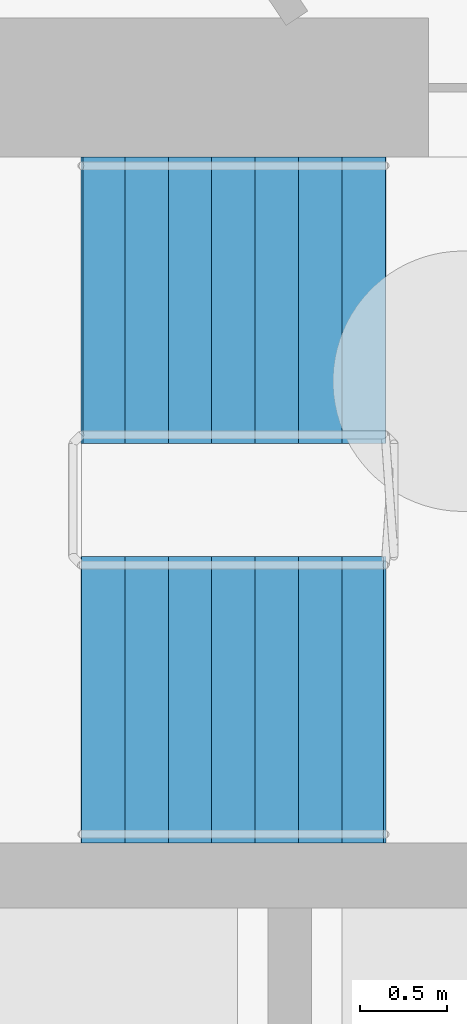
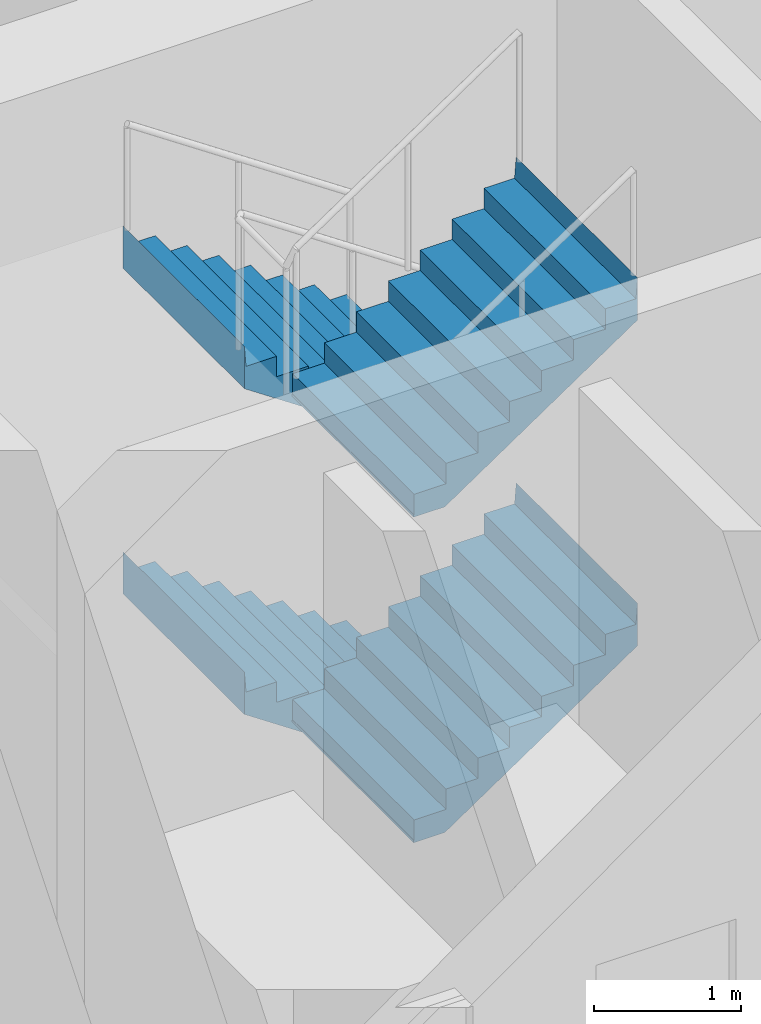
# One storey, part 35 of 41: 4 stair flights, 1 element without a shape of its own.
"""IFC4 building model written with IfcOpenShell, lengths in metres."""

from ifc_helpers import new_model, si_unit, direction, frame, origin, place, context, subcontext, project, spatial, triangles, material, type_object, element, aggregate, save


model = new_model("IFC4")

# Units and contexts
model_context = context("Model", 3, precision=1e-05, world=origin(), true_north=direction((0.0, 1.0)))
body_context = subcontext(model_context, "Body", "Model", "MODEL_VIEW")
ifc_project = project(units=[si_unit("LENGTHUNIT", "METRE"), si_unit("AREAUNIT", "SQUARE_METRE"), si_unit("VOLUMEUNIT", "CUBIC_METRE"), si_unit("PLANEANGLEUNIT", "RADIAN"), si_unit("MASSUNIT", "GRAM", prefix="KILO")], contexts=[model_context])

# Site, building, storey
site_placement = place(None, origin())
site = spatial("IfcSite", under=ifc_project, at=site_placement, CompositionType="ELEMENT")
building_placement = place(site_placement, origin())
building = spatial("IfcBuilding", under=site, at=building_placement, Name="Maasbend Ring Residences", CompositionType="ELEMENT")
storey_placement = place(building_placement, origin())
storey = spatial("IfcBuildingStorey", under=building, at=storey_placement, Name="L00", CompositionType="ELEMENT", Elevation=0.0)

# Stair, stair flights
ifc_material_1 = material(Name="Concrete C40/50", Category="concrete")
stair_type = type_object("IfcStairType", Name="CORE STAIR 32 RISERS", PredefinedType="HALF_TURN_STAIR", material=ifc_material_1)
stair_placement = place(storey_placement, origin())
stair = element("IfcStair", 1, at=stair_placement, inside=storey, type_object=stair_type, Name="L00 Exit stair ST-E1", PredefinedType="HALF_TURN_STAIR")
ifc_material_2 = material(Name="Concrete C40/50", Category="concrete")
stair_flight_type = type_object("IfcStairFlightType", Name="CORE STAIR FLIGHT 1650", PredefinedType="STRAIGHT", material=ifc_material_2)
stair_flight_1_placement = place(storey_placement, frame((13.550048828125, 7.77490234375, 0.0), z_axis=(0.0, 0.0, 1.0), x_axis=(-1.0, 0.0, 0.0)))
stair_flight_1 = element("IfcStairFlight", 2, at=stair_flight_1_placement, type_object=stair_flight_type, Name="ST-E1 flight 1", NumberOfRisers=8, NumberOfTreads=7, PredefinedType="STRAIGHT", RiserHeight=0.16875, TreadLength=0.25, context=body_context, shape_type="Tessellation", body=[
    triangles([(0.2412109375, 0.824951171875, -0.02001953125), (1.7529296875, 0.824951171875, 1.00048828125), (1.7529296875, 0.824951171875, 1.35009765625), (1.739990234375, 0.824951171875, 1.18115234375), (1.5, 0.824951171875, 1.18115234375), (1.5, 0.824951171875, 1.012451171875), (1.25, 0.824951171875, 1.012451171875), (1.25, 0.824951171875, 0.84375), (1.0, 0.824951171875, 0.84375), (1.0, 0.824951171875, 0.675048828125), (0.75, 0.824951171875, 0.675048828125), (0.75, 0.824951171875, 0.50634765625), (0.5, 0.824951171875, 0.50634765625), (0.5, 0.824951171875, 0.33740234375), (0.25, 0.824951171875, 0.33740234375), (0.25, 0.824951171875, 0.168701171875), (0.0, 0.824951171875, 0.168701171875), (0.0, 0.824951171875, 0.0), (-0.0029296875, 0.824951171875, 0.0), (-0.0029296875, 0.824951171875, -0.02001953125), (0.2412109375, 0.41259765625, -0.02001953125), (1.7529296875, 0.41259765625, 1.00048828125), (1.7529296875, 0.41259765625, 1.35009765625), (1.739990234375, 0.41259765625, 1.18115234375), (1.5, 0.41259765625, 1.18115234375), (1.5, 0.41259765625, 1.012451171875), (1.25, 0.41259765625, 1.012451171875), (1.25, 0.41259765625, 0.84375), (1.0, 0.41259765625, 0.84375), (1.0, 0.41259765625, 0.675048828125), (0.75, 0.41259765625, 0.675048828125), (0.75, 0.41259765625, 0.50634765625), (0.5, 0.41259765625, 0.50634765625), (0.5, 0.41259765625, 0.33740234375), (0.25, 0.41259765625, 0.33740234375), (0.25, 0.41259765625, 0.168701171875), (0.0, 0.41259765625, 0.168701171875), (0.0, 0.41259765625, 0.0), (-0.0029296875, 0.41259765625, 0.0), (-0.0029296875, 0.41259765625, -0.02001953125), (0.2412109375, 0.0, -0.02001953125), (1.7529296875, 0.0, 1.00048828125), (1.7529296875, 0.0, 1.35009765625), (1.739990234375, 0.0, 1.18115234375), (1.5, 0.0, 1.18115234375), (1.5, 0.0, 1.012451171875), (1.25, 0.0, 1.012451171875), (1.25, 0.0, 0.84375), (1.0, 0.0, 0.84375), (1.0, 0.0, 0.675048828125), (0.75, 0.0, 0.675048828125), (0.75, 0.0, 0.50634765625), (0.5, 0.0, 0.50634765625), (0.5, 0.0, 0.33740234375), (0.25, 0.0, 0.33740234375), (0.25, 0.0, 0.168701171875), (0.0, 0.0, 0.168701171875), (0.0, 0.0, 0.0), (-0.0029296875, 0.0, 0.0), (-0.0029296875, 0.0, -0.02001953125), (0.2412109375, -0.41259765625, -0.02001953125), (1.7529296875, -0.41259765625, 1.00048828125), (1.7529296875, -0.41259765625, 1.35009765625), (1.739990234375, -0.41259765625, 1.18115234375), (1.5, -0.41259765625, 1.18115234375), (1.5, -0.41259765625, 1.012451171875), (1.25, -0.41259765625, 1.012451171875), (1.25, -0.41259765625, 0.84375), (1.0, -0.41259765625, 0.84375), (1.0, -0.41259765625, 0.675048828125), (0.75, -0.41259765625, 0.675048828125), (0.75, -0.41259765625, 0.50634765625), (0.5, -0.41259765625, 0.50634765625), (0.5, -0.41259765625, 0.33740234375), (0.25, -0.41259765625, 0.33740234375), (0.25, -0.41259765625, 0.168701171875), (0.0, -0.41259765625, 0.168701171875), (0.0, -0.41259765625, 0.0), (-0.0029296875, -0.41259765625, 0.0), (-0.0029296875, -0.41259765625, -0.02001953125), (0.2412109375, -0.824951171875, -0.02001953125), (1.7529296875, -0.824951171875, 1.00048828125), (1.7529296875, -0.824951171875, 1.35009765625), (1.739990234375, -0.824951171875, 1.18115234375), (1.5, -0.824951171875, 1.18115234375), (1.5, -0.824951171875, 1.012451171875), (1.25, -0.824951171875, 1.012451171875), (1.25, -0.824951171875, 0.84375), (1.0, -0.824951171875, 0.84375), (1.0, -0.824951171875, 0.675048828125), (0.75, -0.824951171875, 0.675048828125), (0.75, -0.824951171875, 0.50634765625), (0.5, -0.824951171875, 0.50634765625), (0.5, -0.824951171875, 0.33740234375), (0.25, -0.824951171875, 0.33740234375), (0.25, -0.824951171875, 0.168701171875), (0.0, -0.824951171875, 0.168701171875), (0.0, -0.824951171875, 0.0), (-0.0029296875, -0.824951171875, 0.0), (-0.0029296875, -0.824951171875, -0.02001953125)], [[1, 2, 22], [1, 22, 21], [21, 22, 42], [21, 42, 41], [41, 42, 62], [41, 62, 61], [61, 62, 82], [61, 82, 81], [2, 3, 23], [2, 23, 22], [22, 23, 43], [22, 43, 42], [42, 43, 63], [42, 63, 62], [62, 63, 83], [62, 83, 82], [3, 4, 24], [3, 24, 23], [23, 24, 44], [23, 44, 43], [43, 44, 64], [43, 64, 63], [63, 64, 84], [63, 84, 83], [4, 5, 25], [4, 25, 24], [24, 25, 45], [24, 45, 44], [44, 45, 65], [44, 65, 64], [64, 65, 85], [64, 85, 84], [5, 6, 26], [5, 26, 25], [25, 26, 46], [25, 46, 45], [45, 46, 66], [45, 66, 65], [65, 66, 86], [65, 86, 85], [6, 7, 27], [6, 27, 26], [26, 27, 47], [26, 47, 46], [46, 47, 67], [46, 67, 66], [66, 67, 87], [66, 87, 86], [7, 8, 28], [7, 28, 27], [27, 28, 48], [27, 48, 47], [47, 48, 68], [47, 68, 67], [67, 68, 88], [67, 88, 87], [8, 9, 29], [8, 29, 28], [28, 29, 49], [28, 49, 48], [48, 49, 69], [48, 69, 68], [68, 69, 89], [68, 89, 88], [9, 10, 30], [9, 30, 29], [29, 30, 50], [29, 50, 49], [49, 50, 70], [49, 70, 69], [69, 70, 90], [69, 90, 89], [10, 11, 31], [10, 31, 30], [30, 31, 51], [30, 51, 50], [50, 51, 71], [50, 71, 70], [70, 71, 91], [70, 91, 90], [11, 12, 32], [11, 32, 31], [31, 32, 52], [31, 52, 51], [51, 52, 72], [51, 72, 71], [71, 72, 92], [71, 92, 91], [12, 13, 33], [12, 33, 32], [32, 33, 53], [32, 53, 52], [52, 53, 73], [52, 73, 72], [72, 73, 93], [72, 93, 92], [13, 14, 34], [13, 34, 33], [33, 34, 54], [33, 54, 53], [53, 54, 74], [53, 74, 73], [73, 74, 94], [73, 94, 93], [14, 15, 35], [14, 35, 34], [34, 35, 55], [34, 55, 54], [54, 55, 75], [54, 75, 74], [74, 75, 95], [74, 95, 94], [15, 16, 36], [15, 36, 35], [35, 36, 56], [35, 56, 55], [55, 56, 76], [55, 76, 75], [75, 76, 96], [75, 96, 95], [16, 17, 37], [16, 37, 36], [36, 37, 57], [36, 57, 56], [56, 57, 77], [56, 77, 76], [76, 77, 97], [76, 97, 96], [17, 18, 38], [17, 38, 37], [37, 38, 58], [37, 58, 57], [57, 58, 78], [57, 78, 77], [77, 78, 98], [77, 98, 97], [18, 19, 39], [18, 39, 38], [38, 39, 59], [38, 59, 58], [58, 59, 79], [58, 79, 78], [78, 79, 99], [78, 99, 98], [19, 20, 40], [19, 40, 39], [39, 40, 60], [39, 60, 59], [59, 60, 80], [59, 80, 79], [79, 80, 100], [79, 100, 99], [20, 1, 21], [20, 21, 40], [40, 21, 41], [40, 41, 60], [60, 41, 61], [60, 61, 80], [80, 61, 81], [80, 81, 100], [20, 2, 1], [2, 4, 3], [2, 5, 4], [2, 6, 5], [20, 6, 2], [6, 8, 7], [20, 8, 6], [8, 10, 9], [20, 10, 8], [10, 12, 11], [20, 12, 10], [12, 14, 13], [20, 14, 12], [14, 16, 15], [20, 16, 14], [16, 18, 17], [20, 18, 16], [18, 20, 19], [100, 81, 82], [82, 83, 84], [82, 84, 85], [82, 85, 86], [100, 82, 86], [86, 87, 88], [100, 86, 88], [88, 89, 90], [100, 88, 90], [90, 91, 92], [100, 90, 92], [92, 93, 94], [100, 92, 94], [94, 95, 96], [100, 94, 96], [96, 97, 98], [100, 96, 98], [98, 99, 100]], closed=True),
])
stair_flight_2_placement = place(storey_placement, frame((11.800048828125, 5.47509765625, 1.35009765625), z_axis=(0.0, 0.0, 1.0), x_axis=(1.0, 0.0, 0.0)))
stair_flight_2 = element("IfcStairFlight", 3, at=stair_flight_2_placement, type_object=stair_flight_type, Name="ST-E1 flight 2", NumberOfRisers=8, NumberOfTreads=7, PredefinedType="STRAIGHT", RiserHeight=0.16875, TreadLength=0.25, context=body_context, shape_type="Tessellation", body=[
    triangles([(0.2412109375, 0.824951171875, -0.02001953125), (1.7529296875, 0.824951171875, 1.00048828125), (1.7529296875, 0.824951171875, 1.35009765625), (1.739990234375, 0.824951171875, 1.18115234375), (1.5, 0.824951171875, 1.18115234375), (1.5, 0.824951171875, 1.012451171875), (1.25, 0.824951171875, 1.012451171875), (1.25, 0.824951171875, 0.84375), (1.0, 0.824951171875, 0.84375), (1.0, 0.824951171875, 0.675048828125), (0.75, 0.824951171875, 0.675048828125), (0.75, 0.824951171875, 0.50634765625), (0.5, 0.824951171875, 0.50634765625), (0.5, 0.824951171875, 0.33740234375), (0.25, 0.824951171875, 0.33740234375), (0.25, 0.824951171875, 0.168701171875), (0.0, 0.824951171875, 0.168701171875), (0.0, 0.824951171875, 0.0), (-0.0029296875, 0.824951171875, 0.0), (-0.0029296875, 0.824951171875, -0.02001953125), (0.2412109375, 0.41259765625, -0.02001953125), (1.7529296875, 0.41259765625, 1.00048828125), (1.7529296875, 0.41259765625, 1.35009765625), (1.739990234375, 0.41259765625, 1.18115234375), (1.5, 0.41259765625, 1.18115234375), (1.5, 0.41259765625, 1.012451171875), (1.25, 0.41259765625, 1.012451171875), (1.25, 0.41259765625, 0.84375), (1.0, 0.41259765625, 0.84375), (1.0, 0.41259765625, 0.675048828125), (0.75, 0.41259765625, 0.675048828125), (0.75, 0.41259765625, 0.50634765625), (0.5, 0.41259765625, 0.50634765625), (0.5, 0.41259765625, 0.33740234375), (0.25, 0.41259765625, 0.33740234375), (0.25, 0.41259765625, 0.168701171875), (0.0, 0.41259765625, 0.168701171875), (0.0, 0.41259765625, 0.0), (-0.0029296875, 0.41259765625, 0.0), (-0.0029296875, 0.41259765625, -0.02001953125), (0.2412109375, 0.0, -0.02001953125), (1.7529296875, 0.0, 1.00048828125), (1.7529296875, 0.0, 1.35009765625), (1.739990234375, 0.0, 1.18115234375), (1.5, 0.0, 1.18115234375), (1.5, 0.0, 1.012451171875), (1.25, 0.0, 1.012451171875), (1.25, 0.0, 0.84375), (1.0, 0.0, 0.84375), (1.0, 0.0, 0.675048828125), (0.75, 0.0, 0.675048828125), (0.75, 0.0, 0.50634765625), (0.5, 0.0, 0.50634765625), (0.5, 0.0, 0.33740234375), (0.25, 0.0, 0.33740234375), (0.25, 0.0, 0.168701171875), (0.0, 0.0, 0.168701171875), (0.0, 0.0, 0.0), (-0.0029296875, 0.0, 0.0), (-0.0029296875, 0.0, -0.02001953125), (0.2412109375, -0.41259765625, -0.02001953125), (1.7529296875, -0.41259765625, 1.00048828125), (1.7529296875, -0.41259765625, 1.35009765625), (1.739990234375, -0.41259765625, 1.18115234375), (1.5, -0.41259765625, 1.18115234375), (1.5, -0.41259765625, 1.012451171875), (1.25, -0.41259765625, 1.012451171875), (1.25, -0.41259765625, 0.84375), (1.0, -0.41259765625, 0.84375), (1.0, -0.41259765625, 0.675048828125), (0.75, -0.41259765625, 0.675048828125), (0.75, -0.41259765625, 0.50634765625), (0.5, -0.41259765625, 0.50634765625), (0.5, -0.41259765625, 0.33740234375), (0.25, -0.41259765625, 0.33740234375), (0.25, -0.41259765625, 0.168701171875), (0.0, -0.41259765625, 0.168701171875), (0.0, -0.41259765625, 0.0), (-0.0029296875, -0.41259765625, 0.0), (-0.0029296875, -0.41259765625, -0.02001953125), (0.2412109375, -0.824951171875, -0.02001953125), (1.7529296875, -0.824951171875, 1.00048828125), (1.7529296875, -0.824951171875, 1.35009765625), (1.739990234375, -0.824951171875, 1.18115234375), (1.5, -0.824951171875, 1.18115234375), (1.5, -0.824951171875, 1.012451171875), (1.25, -0.824951171875, 1.012451171875), (1.25, -0.824951171875, 0.84375), (1.0, -0.824951171875, 0.84375), (1.0, -0.824951171875, 0.675048828125), (0.75, -0.824951171875, 0.675048828125), (0.75, -0.824951171875, 0.50634765625), (0.5, -0.824951171875, 0.50634765625), (0.5, -0.824951171875, 0.33740234375), (0.25, -0.824951171875, 0.33740234375), (0.25, -0.824951171875, 0.168701171875), (0.0, -0.824951171875, 0.168701171875), (0.0, -0.824951171875, 0.0), (-0.0029296875, -0.824951171875, 0.0), (-0.0029296875, -0.824951171875, -0.02001953125)], [[1, 2, 22], [1, 22, 21], [21, 22, 42], [21, 42, 41], [41, 42, 62], [41, 62, 61], [61, 62, 82], [61, 82, 81], [2, 3, 23], [2, 23, 22], [22, 23, 43], [22, 43, 42], [42, 43, 63], [42, 63, 62], [62, 63, 83], [62, 83, 82], [3, 4, 24], [3, 24, 23], [23, 24, 44], [23, 44, 43], [43, 44, 64], [43, 64, 63], [63, 64, 84], [63, 84, 83], [4, 5, 25], [4, 25, 24], [24, 25, 45], [24, 45, 44], [44, 45, 65], [44, 65, 64], [64, 65, 85], [64, 85, 84], [5, 6, 26], [5, 26, 25], [25, 26, 46], [25, 46, 45], [45, 46, 66], [45, 66, 65], [65, 66, 86], [65, 86, 85], [6, 7, 27], [6, 27, 26], [26, 27, 47], [26, 47, 46], [46, 47, 67], [46, 67, 66], [66, 67, 87], [66, 87, 86], [7, 8, 28], [7, 28, 27], [27, 28, 48], [27, 48, 47], [47, 48, 68], [47, 68, 67], [67, 68, 88], [67, 88, 87], [8, 9, 29], [8, 29, 28], [28, 29, 49], [28, 49, 48], [48, 49, 69], [48, 69, 68], [68, 69, 89], [68, 89, 88], [9, 10, 30], [9, 30, 29], [29, 30, 50], [29, 50, 49], [49, 50, 70], [49, 70, 69], [69, 70, 90], [69, 90, 89], [10, 11, 31], [10, 31, 30], [30, 31, 51], [30, 51, 50], [50, 51, 71], [50, 71, 70], [70, 71, 91], [70, 91, 90], [11, 12, 32], [11, 32, 31], [31, 32, 52], [31, 52, 51], [51, 52, 72], [51, 72, 71], [71, 72, 92], [71, 92, 91], [12, 13, 33], [12, 33, 32], [32, 33, 53], [32, 53, 52], [52, 53, 73], [52, 73, 72], [72, 73, 93], [72, 93, 92], [13, 14, 34], [13, 34, 33], [33, 34, 54], [33, 54, 53], [53, 54, 74], [53, 74, 73], [73, 74, 94], [73, 94, 93], [14, 15, 35], [14, 35, 34], [34, 35, 55], [34, 55, 54], [54, 55, 75], [54, 75, 74], [74, 75, 95], [74, 95, 94], [15, 16, 36], [15, 36, 35], [35, 36, 56], [35, 56, 55], [55, 56, 76], [55, 76, 75], [75, 76, 96], [75, 96, 95], [16, 17, 37], [16, 37, 36], [36, 37, 57], [36, 57, 56], [56, 57, 77], [56, 77, 76], [76, 77, 97], [76, 97, 96], [17, 18, 38], [17, 38, 37], [37, 38, 58], [37, 58, 57], [57, 58, 78], [57, 78, 77], [77, 78, 98], [77, 98, 97], [18, 19, 39], [18, 39, 38], [38, 39, 59], [38, 59, 58], [58, 59, 79], [58, 79, 78], [78, 79, 99], [78, 99, 98], [19, 20, 40], [19, 40, 39], [39, 40, 60], [39, 60, 59], [59, 60, 80], [59, 80, 79], [79, 80, 100], [79, 100, 99], [20, 1, 21], [20, 21, 40], [40, 21, 41], [40, 41, 60], [60, 41, 61], [60, 61, 80], [80, 61, 81], [80, 81, 100], [20, 2, 1], [2, 4, 3], [2, 5, 4], [2, 6, 5], [20, 6, 2], [6, 8, 7], [20, 8, 6], [8, 10, 9], [20, 10, 8], [10, 12, 11], [20, 12, 10], [12, 14, 13], [20, 14, 12], [14, 16, 15], [20, 16, 14], [16, 18, 17], [20, 18, 16], [18, 20, 19], [100, 81, 82], [82, 83, 84], [82, 84, 85], [82, 85, 86], [100, 82, 86], [86, 87, 88], [100, 86, 88], [88, 89, 90], [100, 88, 90], [90, 91, 92], [100, 90, 92], [92, 93, 94], [100, 92, 94], [94, 95, 96], [100, 94, 96], [96, 97, 98], [100, 96, 98], [98, 99, 100]], closed=True),
])
stair_flight_3_placement = place(storey_placement, frame((13.550048828125, 7.77490234375, 2.699951171875), z_axis=(0.0, 0.0, 1.0), x_axis=(-1.0, 0.0, 0.0)))
stair_flight_3 = element("IfcStairFlight", 4, at=stair_flight_3_placement, type_object=stair_flight_type, Name="ST-E1 flight 3", NumberOfRisers=8, NumberOfTreads=7, PredefinedType="STRAIGHT", RiserHeight=0.16875, TreadLength=0.25, context=body_context, shape_type="Tessellation", body=[
    triangles([(0.2412109375, 0.824951171875, -0.02001953125), (1.7529296875, 0.824951171875, 1.00048828125), (1.7529296875, 0.824951171875, 1.35009765625), (1.739990234375, 0.824951171875, 1.18115234375), (1.5, 0.824951171875, 1.18115234375), (1.5, 0.824951171875, 1.012451171875), (1.25, 0.824951171875, 1.012451171875), (1.25, 0.824951171875, 0.84375), (1.0, 0.824951171875, 0.84375), (1.0, 0.824951171875, 0.675048828125), (0.75, 0.824951171875, 0.675048828125), (0.75, 0.824951171875, 0.50634765625), (0.5, 0.824951171875, 0.50634765625), (0.5, 0.824951171875, 0.33740234375), (0.25, 0.824951171875, 0.33740234375), (0.25, 0.824951171875, 0.168701171875), (0.0, 0.824951171875, 0.168701171875), (0.0, 0.824951171875, 0.0), (-0.0029296875, 0.824951171875, 0.0), (-0.0029296875, 0.824951171875, -0.02001953125), (0.2412109375, 0.41259765625, -0.02001953125), (1.7529296875, 0.41259765625, 1.00048828125), (1.7529296875, 0.41259765625, 1.35009765625), (1.739990234375, 0.41259765625, 1.18115234375), (1.5, 0.41259765625, 1.18115234375), (1.5, 0.41259765625, 1.012451171875), (1.25, 0.41259765625, 1.012451171875), (1.25, 0.41259765625, 0.84375), (1.0, 0.41259765625, 0.84375), (1.0, 0.41259765625, 0.675048828125), (0.75, 0.41259765625, 0.675048828125), (0.75, 0.41259765625, 0.50634765625), (0.5, 0.41259765625, 0.50634765625), (0.5, 0.41259765625, 0.33740234375), (0.25, 0.41259765625, 0.33740234375), (0.25, 0.41259765625, 0.168701171875), (0.0, 0.41259765625, 0.168701171875), (0.0, 0.41259765625, 0.0), (-0.0029296875, 0.41259765625, 0.0), (-0.0029296875, 0.41259765625, -0.02001953125), (0.2412109375, 0.0, -0.02001953125), (1.7529296875, 0.0, 1.00048828125), (1.7529296875, 0.0, 1.35009765625), (1.739990234375, 0.0, 1.18115234375), (1.5, 0.0, 1.18115234375), (1.5, 0.0, 1.012451171875), (1.25, 0.0, 1.012451171875), (1.25, 0.0, 0.84375), (1.0, 0.0, 0.84375), (1.0, 0.0, 0.675048828125), (0.75, 0.0, 0.675048828125), (0.75, 0.0, 0.50634765625), (0.5, 0.0, 0.50634765625), (0.5, 0.0, 0.33740234375), (0.25, 0.0, 0.33740234375), (0.25, 0.0, 0.168701171875), (0.0, 0.0, 0.168701171875), (0.0, 0.0, 0.0), (-0.0029296875, 0.0, 0.0), (-0.0029296875, 0.0, -0.02001953125), (0.2412109375, -0.41259765625, -0.02001953125), (1.7529296875, -0.41259765625, 1.00048828125), (1.7529296875, -0.41259765625, 1.35009765625), (1.739990234375, -0.41259765625, 1.18115234375), (1.5, -0.41259765625, 1.18115234375), (1.5, -0.41259765625, 1.012451171875), (1.25, -0.41259765625, 1.012451171875), (1.25, -0.41259765625, 0.84375), (1.0, -0.41259765625, 0.84375), (1.0, -0.41259765625, 0.675048828125), (0.75, -0.41259765625, 0.675048828125), (0.75, -0.41259765625, 0.50634765625), (0.5, -0.41259765625, 0.50634765625), (0.5, -0.41259765625, 0.33740234375), (0.25, -0.41259765625, 0.33740234375), (0.25, -0.41259765625, 0.168701171875), (0.0, -0.41259765625, 0.168701171875), (0.0, -0.41259765625, 0.0), (-0.0029296875, -0.41259765625, 0.0), (-0.0029296875, -0.41259765625, -0.02001953125), (0.2412109375, -0.824951171875, -0.02001953125), (1.7529296875, -0.824951171875, 1.00048828125), (1.7529296875, -0.824951171875, 1.35009765625), (1.739990234375, -0.824951171875, 1.18115234375), (1.5, -0.824951171875, 1.18115234375), (1.5, -0.824951171875, 1.012451171875), (1.25, -0.824951171875, 1.012451171875), (1.25, -0.824951171875, 0.84375), (1.0, -0.824951171875, 0.84375), (1.0, -0.824951171875, 0.675048828125), (0.75, -0.824951171875, 0.675048828125), (0.75, -0.824951171875, 0.50634765625), (0.5, -0.824951171875, 0.50634765625), (0.5, -0.824951171875, 0.33740234375), (0.25, -0.824951171875, 0.33740234375), (0.25, -0.824951171875, 0.168701171875), (0.0, -0.824951171875, 0.168701171875), (0.0, -0.824951171875, 0.0), (-0.0029296875, -0.824951171875, 0.0), (-0.0029296875, -0.824951171875, -0.02001953125)], [[1, 2, 22], [1, 22, 21], [21, 22, 42], [21, 42, 41], [41, 42, 62], [41, 62, 61], [61, 62, 82], [61, 82, 81], [2, 3, 23], [2, 23, 22], [22, 23, 43], [22, 43, 42], [42, 43, 63], [42, 63, 62], [62, 63, 83], [62, 83, 82], [3, 4, 24], [3, 24, 23], [23, 24, 44], [23, 44, 43], [43, 44, 64], [43, 64, 63], [63, 64, 84], [63, 84, 83], [4, 5, 25], [4, 25, 24], [24, 25, 45], [24, 45, 44], [44, 45, 65], [44, 65, 64], [64, 65, 85], [64, 85, 84], [5, 6, 26], [5, 26, 25], [25, 26, 46], [25, 46, 45], [45, 46, 66], [45, 66, 65], [65, 66, 86], [65, 86, 85], [6, 7, 27], [6, 27, 26], [26, 27, 47], [26, 47, 46], [46, 47, 67], [46, 67, 66], [66, 67, 87], [66, 87, 86], [7, 8, 28], [7, 28, 27], [27, 28, 48], [27, 48, 47], [47, 48, 68], [47, 68, 67], [67, 68, 88], [67, 88, 87], [8, 9, 29], [8, 29, 28], [28, 29, 49], [28, 49, 48], [48, 49, 69], [48, 69, 68], [68, 69, 89], [68, 89, 88], [9, 10, 30], [9, 30, 29], [29, 30, 50], [29, 50, 49], [49, 50, 70], [49, 70, 69], [69, 70, 90], [69, 90, 89], [10, 11, 31], [10, 31, 30], [30, 31, 51], [30, 51, 50], [50, 51, 71], [50, 71, 70], [70, 71, 91], [70, 91, 90], [11, 12, 32], [11, 32, 31], [31, 32, 52], [31, 52, 51], [51, 52, 72], [51, 72, 71], [71, 72, 92], [71, 92, 91], [12, 13, 33], [12, 33, 32], [32, 33, 53], [32, 53, 52], [52, 53, 73], [52, 73, 72], [72, 73, 93], [72, 93, 92], [13, 14, 34], [13, 34, 33], [33, 34, 54], [33, 54, 53], [53, 54, 74], [53, 74, 73], [73, 74, 94], [73, 94, 93], [14, 15, 35], [14, 35, 34], [34, 35, 55], [34, 55, 54], [54, 55, 75], [54, 75, 74], [74, 75, 95], [74, 95, 94], [15, 16, 36], [15, 36, 35], [35, 36, 56], [35, 56, 55], [55, 56, 76], [55, 76, 75], [75, 76, 96], [75, 96, 95], [16, 17, 37], [16, 37, 36], [36, 37, 57], [36, 57, 56], [56, 57, 77], [56, 77, 76], [76, 77, 97], [76, 97, 96], [17, 18, 38], [17, 38, 37], [37, 38, 58], [37, 58, 57], [57, 58, 78], [57, 78, 77], [77, 78, 98], [77, 98, 97], [18, 19, 39], [18, 39, 38], [38, 39, 59], [38, 59, 58], [58, 59, 79], [58, 79, 78], [78, 79, 99], [78, 99, 98], [19, 20, 40], [19, 40, 39], [39, 40, 60], [39, 60, 59], [59, 60, 80], [59, 80, 79], [79, 80, 100], [79, 100, 99], [20, 1, 21], [20, 21, 40], [40, 21, 41], [40, 41, 60], [60, 41, 61], [60, 61, 80], [80, 61, 81], [80, 81, 100], [20, 2, 1], [2, 4, 3], [2, 5, 4], [2, 6, 5], [20, 6, 2], [6, 8, 7], [20, 8, 6], [8, 10, 9], [20, 10, 8], [10, 12, 11], [20, 12, 10], [12, 14, 13], [20, 14, 12], [14, 16, 15], [20, 16, 14], [16, 18, 17], [20, 18, 16], [18, 20, 19], [100, 81, 82], [82, 83, 84], [82, 84, 85], [82, 85, 86], [100, 82, 86], [86, 87, 88], [100, 86, 88], [88, 89, 90], [100, 88, 90], [90, 91, 92], [100, 90, 92], [92, 93, 94], [100, 92, 94], [94, 95, 96], [100, 94, 96], [96, 97, 98], [100, 96, 98], [98, 99, 100]], closed=True),
])
stair_flight_4_placement = place(storey_placement, frame((11.800048828125, 5.47509765625, 4.050048828125), z_axis=(0.0, 0.0, 1.0), x_axis=(1.0, 0.0, 0.0)))
stair_flight_4 = element("IfcStairFlight", 5, at=stair_flight_4_placement, type_object=stair_flight_type, Name="ST-E1 flight 4", NumberOfRisers=8, NumberOfTreads=7, PredefinedType="STRAIGHT", RiserHeight=0.16875, TreadLength=0.25, context=body_context, shape_type="Tessellation", body=[
    triangles([(0.2412109375, 0.824951171875, -0.02001953125), (1.7529296875, 0.824951171875, 1.00048828125), (1.7529296875, 0.824951171875, 1.35009765625), (1.739990234375, 0.824951171875, 1.18115234375), (1.5, 0.824951171875, 1.18115234375), (1.5, 0.824951171875, 1.012451171875), (1.25, 0.824951171875, 1.012451171875), (1.25, 0.824951171875, 0.84375), (1.0, 0.824951171875, 0.84375), (1.0, 0.824951171875, 0.675048828125), (0.75, 0.824951171875, 0.675048828125), (0.75, 0.824951171875, 0.50634765625), (0.5, 0.824951171875, 0.50634765625), (0.5, 0.824951171875, 0.33740234375), (0.25, 0.824951171875, 0.33740234375), (0.25, 0.824951171875, 0.168701171875), (0.0, 0.824951171875, 0.168701171875), (0.0, 0.824951171875, 0.0), (-0.0029296875, 0.824951171875, 0.0), (-0.0029296875, 0.824951171875, -0.02001953125), (0.2412109375, 0.41259765625, -0.02001953125), (1.7529296875, 0.41259765625, 1.00048828125), (1.7529296875, 0.41259765625, 1.35009765625), (1.739990234375, 0.41259765625, 1.18115234375), (1.5, 0.41259765625, 1.18115234375), (1.5, 0.41259765625, 1.012451171875), (1.25, 0.41259765625, 1.012451171875), (1.25, 0.41259765625, 0.84375), (1.0, 0.41259765625, 0.84375), (1.0, 0.41259765625, 0.675048828125), (0.75, 0.41259765625, 0.675048828125), (0.75, 0.41259765625, 0.50634765625), (0.5, 0.41259765625, 0.50634765625), (0.5, 0.41259765625, 0.33740234375), (0.25, 0.41259765625, 0.33740234375), (0.25, 0.41259765625, 0.168701171875), (0.0, 0.41259765625, 0.168701171875), (0.0, 0.41259765625, 0.0), (-0.0029296875, 0.41259765625, 0.0), (-0.0029296875, 0.41259765625, -0.02001953125), (0.2412109375, 0.0, -0.02001953125), (1.7529296875, 0.0, 1.00048828125), (1.7529296875, 0.0, 1.35009765625), (1.739990234375, 0.0, 1.18115234375), (1.5, 0.0, 1.18115234375), (1.5, 0.0, 1.012451171875), (1.25, 0.0, 1.012451171875), (1.25, 0.0, 0.84375), (1.0, 0.0, 0.84375), (1.0, 0.0, 0.675048828125), (0.75, 0.0, 0.675048828125), (0.75, 0.0, 0.50634765625), (0.5, 0.0, 0.50634765625), (0.5, 0.0, 0.33740234375), (0.25, 0.0, 0.33740234375), (0.25, 0.0, 0.168701171875), (0.0, 0.0, 0.168701171875), (0.0, 0.0, 0.0), (-0.0029296875, 0.0, 0.0), (-0.0029296875, 0.0, -0.02001953125), (0.2412109375, -0.41259765625, -0.02001953125), (1.7529296875, -0.41259765625, 1.00048828125), (1.7529296875, -0.41259765625, 1.35009765625), (1.739990234375, -0.41259765625, 1.18115234375), (1.5, -0.41259765625, 1.18115234375), (1.5, -0.41259765625, 1.012451171875), (1.25, -0.41259765625, 1.012451171875), (1.25, -0.41259765625, 0.84375), (1.0, -0.41259765625, 0.84375), (1.0, -0.41259765625, 0.675048828125), (0.75, -0.41259765625, 0.675048828125), (0.75, -0.41259765625, 0.50634765625), (0.5, -0.41259765625, 0.50634765625), (0.5, -0.41259765625, 0.33740234375), (0.25, -0.41259765625, 0.33740234375), (0.25, -0.41259765625, 0.168701171875), (0.0, -0.41259765625, 0.168701171875), (0.0, -0.41259765625, 0.0), (-0.0029296875, -0.41259765625, 0.0), (-0.0029296875, -0.41259765625, -0.02001953125), (0.2412109375, -0.824951171875, -0.02001953125), (1.7529296875, -0.824951171875, 1.00048828125), (1.7529296875, -0.824951171875, 1.35009765625), (1.739990234375, -0.824951171875, 1.18115234375), (1.5, -0.824951171875, 1.18115234375), (1.5, -0.824951171875, 1.012451171875), (1.25, -0.824951171875, 1.012451171875), (1.25, -0.824951171875, 0.84375), (1.0, -0.824951171875, 0.84375), (1.0, -0.824951171875, 0.675048828125), (0.75, -0.824951171875, 0.675048828125), (0.75, -0.824951171875, 0.50634765625), (0.5, -0.824951171875, 0.50634765625), (0.5, -0.824951171875, 0.33740234375), (0.25, -0.824951171875, 0.33740234375), (0.25, -0.824951171875, 0.168701171875), (0.0, -0.824951171875, 0.168701171875), (0.0, -0.824951171875, 0.0), (-0.0029296875, -0.824951171875, 0.0), (-0.0029296875, -0.824951171875, -0.02001953125)], [[1, 2, 22], [1, 22, 21], [21, 22, 42], [21, 42, 41], [41, 42, 62], [41, 62, 61], [61, 62, 82], [61, 82, 81], [2, 3, 23], [2, 23, 22], [22, 23, 43], [22, 43, 42], [42, 43, 63], [42, 63, 62], [62, 63, 83], [62, 83, 82], [3, 4, 24], [3, 24, 23], [23, 24, 44], [23, 44, 43], [43, 44, 64], [43, 64, 63], [63, 64, 84], [63, 84, 83], [4, 5, 25], [4, 25, 24], [24, 25, 45], [24, 45, 44], [44, 45, 65], [44, 65, 64], [64, 65, 85], [64, 85, 84], [5, 6, 26], [5, 26, 25], [25, 26, 46], [25, 46, 45], [45, 46, 66], [45, 66, 65], [65, 66, 86], [65, 86, 85], [6, 7, 27], [6, 27, 26], [26, 27, 47], [26, 47, 46], [46, 47, 67], [46, 67, 66], [66, 67, 87], [66, 87, 86], [7, 8, 28], [7, 28, 27], [27, 28, 48], [27, 48, 47], [47, 48, 68], [47, 68, 67], [67, 68, 88], [67, 88, 87], [8, 9, 29], [8, 29, 28], [28, 29, 49], [28, 49, 48], [48, 49, 69], [48, 69, 68], [68, 69, 89], [68, 89, 88], [9, 10, 30], [9, 30, 29], [29, 30, 50], [29, 50, 49], [49, 50, 70], [49, 70, 69], [69, 70, 90], [69, 90, 89], [10, 11, 31], [10, 31, 30], [30, 31, 51], [30, 51, 50], [50, 51, 71], [50, 71, 70], [70, 71, 91], [70, 91, 90], [11, 12, 32], [11, 32, 31], [31, 32, 52], [31, 52, 51], [51, 52, 72], [51, 72, 71], [71, 72, 92], [71, 92, 91], [12, 13, 33], [12, 33, 32], [32, 33, 53], [32, 53, 52], [52, 53, 73], [52, 73, 72], [72, 73, 93], [72, 93, 92], [13, 14, 34], [13, 34, 33], [33, 34, 54], [33, 54, 53], [53, 54, 74], [53, 74, 73], [73, 74, 94], [73, 94, 93], [14, 15, 35], [14, 35, 34], [34, 35, 55], [34, 55, 54], [54, 55, 75], [54, 75, 74], [74, 75, 95], [74, 95, 94], [15, 16, 36], [15, 36, 35], [35, 36, 56], [35, 56, 55], [55, 56, 76], [55, 76, 75], [75, 76, 96], [75, 96, 95], [16, 17, 37], [16, 37, 36], [36, 37, 57], [36, 57, 56], [56, 57, 77], [56, 77, 76], [76, 77, 97], [76, 97, 96], [17, 18, 38], [17, 38, 37], [37, 38, 58], [37, 58, 57], [57, 58, 78], [57, 78, 77], [77, 78, 98], [77, 98, 97], [18, 19, 39], [18, 39, 38], [38, 39, 59], [38, 59, 58], [58, 59, 79], [58, 79, 78], [78, 79, 99], [78, 99, 98], [19, 20, 40], [19, 40, 39], [39, 40, 60], [39, 60, 59], [59, 60, 80], [59, 80, 79], [79, 80, 100], [79, 100, 99], [20, 1, 21], [20, 21, 40], [40, 21, 41], [40, 41, 60], [60, 41, 61], [60, 61, 80], [80, 61, 81], [80, 81, 100], [20, 2, 1], [2, 4, 3], [2, 5, 4], [2, 6, 5], [20, 6, 2], [6, 8, 7], [20, 8, 6], [8, 10, 9], [20, 10, 8], [10, 12, 11], [20, 12, 10], [12, 14, 13], [20, 14, 12], [14, 16, 15], [20, 16, 14], [16, 18, 17], [20, 18, 16], [18, 20, 19], [100, 81, 82], [82, 83, 84], [82, 84, 85], [82, 85, 86], [100, 82, 86], [86, 87, 88], [100, 86, 88], [88, 89, 90], [100, 88, 90], [90, 91, 92], [100, 90, 92], [92, 93, 94], [100, 92, 94], [94, 95, 96], [100, 94, 96], [96, 97, 98], [100, 96, 98], [98, 99, 100]], closed=True),
])
aggregate(stair, [stair_flight_1, stair_flight_2, stair_flight_3, stair_flight_4])

save(model, "model.ifc")
